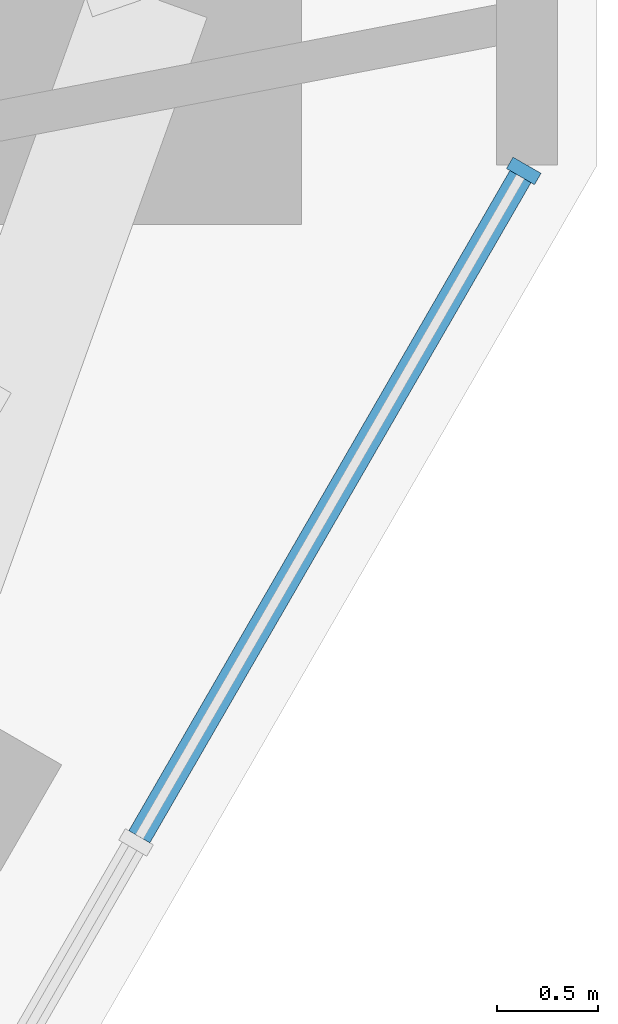
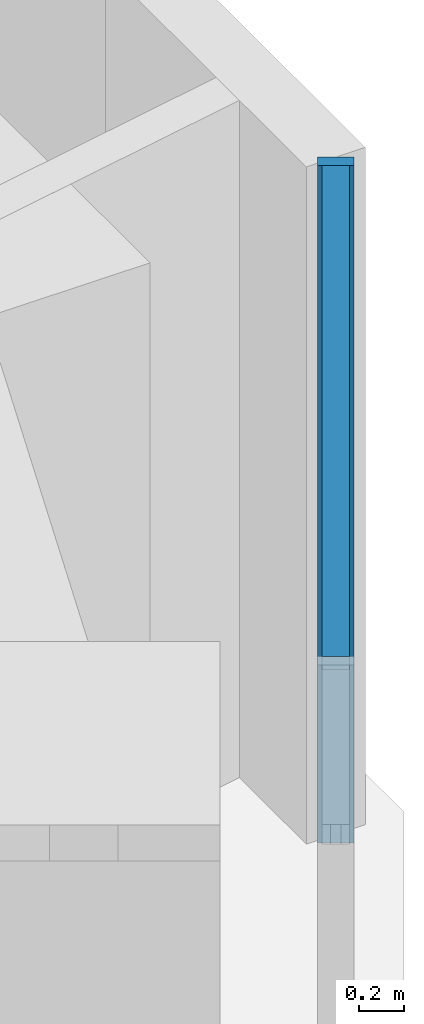
# One storey, part 6 of 16: 2 members, 1 element without a shape of its own.
"""IFC4 building model written with IfcOpenShell, lengths in metres."""

from ifc_helpers import new_model, si_unit, direction, frame, origin, origin_2d, place, context, subcontext, project, spatial, rectangle, extrude, material, material_profile, profile_set, type_object, element, aggregate, save


model = new_model("IFC4")

# Units and contexts
model_context = context("Model", 3, precision=1e-05, world=origin(), true_north=direction((0.0, 1.0)))
body_context = subcontext(model_context, "Body", "Model", "MODEL_VIEW")
ifc_project = project(units=[si_unit("LENGTHUNIT", "METRE"), si_unit("AREAUNIT", "SQUARE_METRE"), si_unit("VOLUMEUNIT", "CUBIC_METRE"), si_unit("PLANEANGLEUNIT", "RADIAN"), si_unit("MASSUNIT", "GRAM", prefix="KILO")], contexts=[model_context])

# Site, building, storey
site_placement = place(None, origin())
site = spatial("IfcSite", under=ifc_project, at=site_placement, CompositionType="ELEMENT")
building_placement = place(site_placement, origin())
building = spatial("IfcBuilding", under=site, at=building_placement, Name="Sandreach Pilgrim Tower", CompositionType="ELEMENT")
storey_placement = place(building_placement, frame((0.0, 0.0, 228.800048828125)))
storey = spatial("IfcBuildingStorey", under=building, at=storey_placement, Name="L57", CompositionType="ELEMENT", Elevation=228.800048828125)

# Curtain wall, members
ifc_material_1 = material(Name="Aluminium framed curtain wall", Category="aluminium")
curtain_wall_type = type_object("IfcCurtainWallType", Name="Upper hotel tower curtain wall", PredefinedType="NOTDEFINED", material=ifc_material_1)
curtain_wall_placement = place(storey_placement, origin())
curtain_wall = element("IfcCurtainWall", 1, at=curtain_wall_placement, inside=storey, type_object=curtain_wall_type, Name="CW-3 L57 SE", PredefinedType="NOTDEFINED")
ifc_material_2 = material(Name="Aluminium extrusion", Category="aluminium")
ifc_material_profile_1 = material_profile(ifc_material_2, rectangle(XDim=0.06494140625, YDim=0.159912109375, at=origin_2d()), Name="CW-3M 65X160")
ifc_profile_set_1 = profile_set([ifc_material_profile_1], Name="Aluminium extrusion")
member_type_1 = type_object("IfcMemberType", Name="CW-3 mullion", PredefinedType="MULLION", material=ifc_profile_set_1)
member_1_placement = place(storey_placement, frame((27.00390625, 4.451904296875, 0.0), z_axis=(0.0, 0.0, 1.0), x_axis=(-0.5, -0.866025403784, 0.0)))
member_1 = element("IfcMember", 2, at=member_1_placement, type_object=member_type_1, Name="CW-3 mullion 1", PredefinedType="MULLION", context=body_context, shape_type="SweptSolid", body=[
    extrude(rectangle(XDim=0.06494140625, YDim=0.159912109375, at=origin_2d()), origin(), (0.0, 0.0, 1.0), 3.639892578125),
])
ifc_material_3 = material(Name="Aluminium extrusion", Category="aluminium")
ifc_material_profile_2 = material_profile(ifc_material_3, rectangle(XDim=0.1201171875, YDim=0.070068359375, at=origin_2d()), Name="CW-3T 120X70")
ifc_profile_set_2 = profile_set([ifc_material_profile_2], Name="Aluminium extrusion")
member_type_2 = type_object("IfcMemberType", Name="CW-3 transom", PredefinedType="USERDEFINED", material=ifc_profile_set_2)
member_2_placement = place(storey_placement, frame((26.987548828125, 4.423828125, 3.60498046875), z_axis=(-0.499944992379, -0.86605716012, 0.0), x_axis=(0.86605716012, -0.499944992379, 0.0)))
member_2 = element("IfcMember", 3, at=member_2_placement, type_object=member_type_2, Name="CW-3 head transom 1", ObjectType="TRANSOM", PredefinedType="USERDEFINED", context=body_context, shape_type="SweptSolid", body=[
    extrude(rectangle(XDim=0.1201171875, YDim=0.070068359375, at=origin_2d()), origin(), (0.0, 0.0, 1.0), 3.76708984375),
])
aggregate(curtain_wall, [member_1, member_2])

save(model, "model.ifc")
